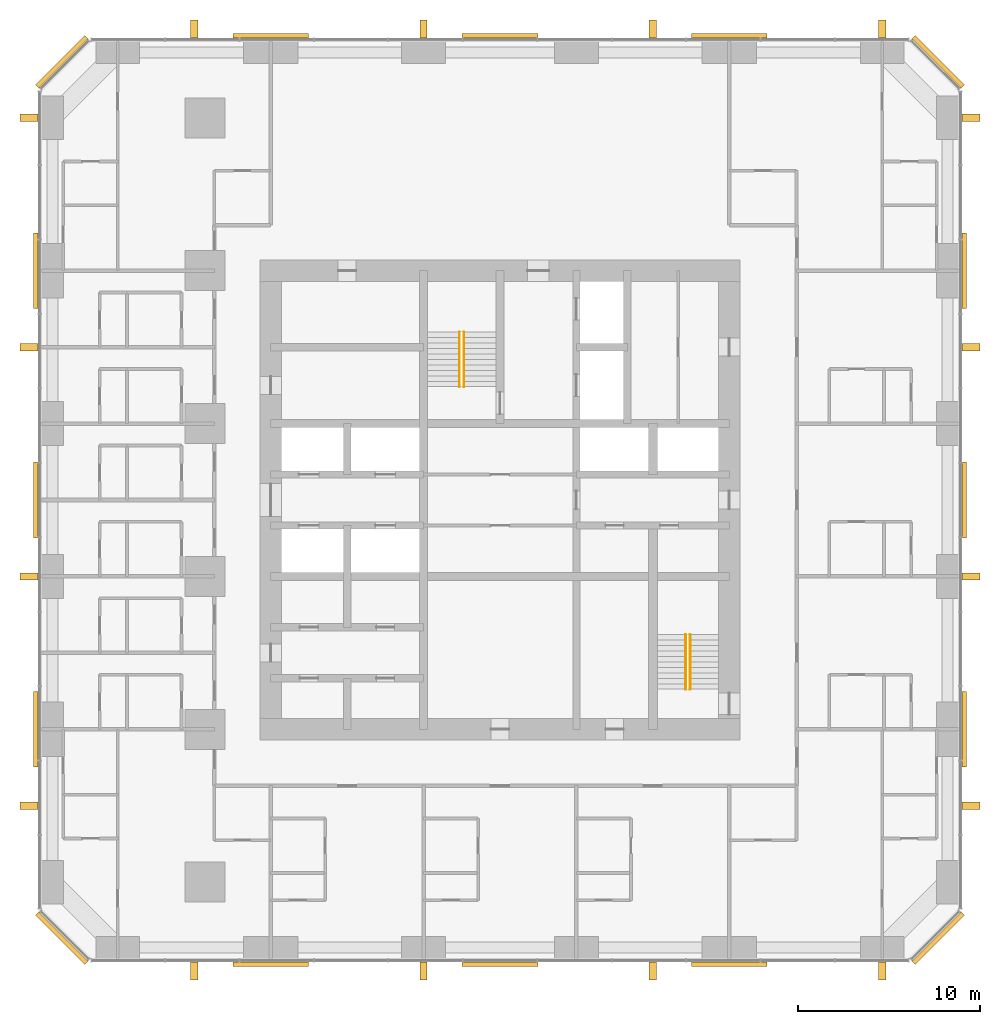
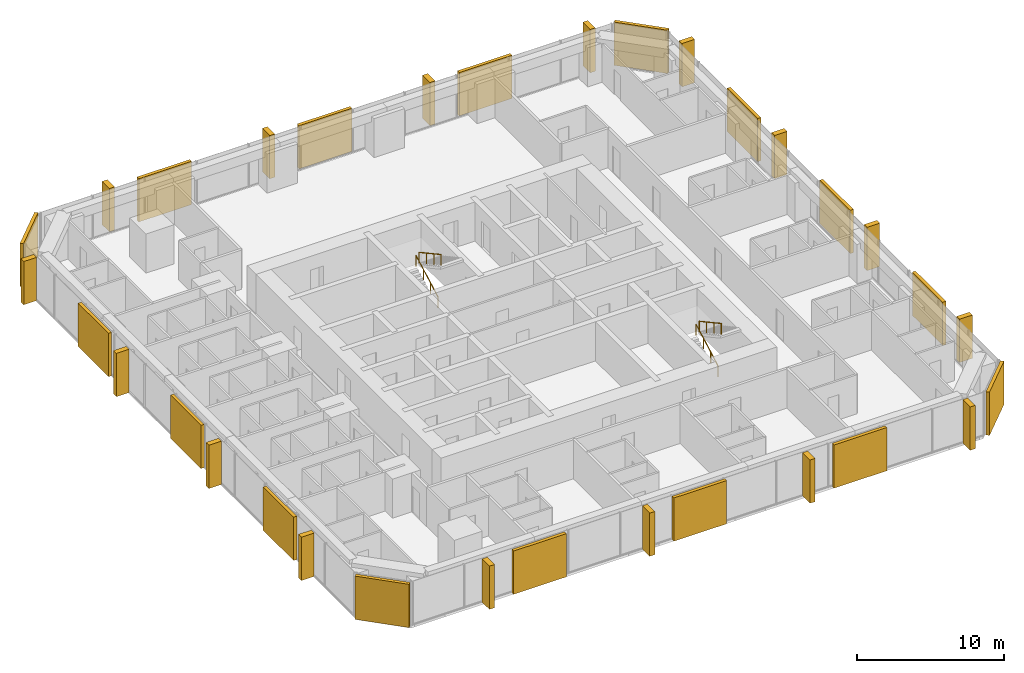
# One storey, part 13 of 13: 16 coverings, 16 shading devices, 4 railings.
"""IFC4 building model written with IfcOpenShell, lengths in metres."""

from ifc_helpers import new_model, si_unit, direction, frame, origin, origin_2d, place, context, subcontext, project, spatial, rectangle, circle, extrude, material, layer, layer_set, type_object, element, save


model = new_model("IFC4")

# Units and contexts
model_context = context("Model", 3, precision=1e-05, world=origin(), true_north=direction((0.0, 1.0)))
body_context = subcontext(model_context, "Body", "Model", "MODEL_VIEW")
ifc_project = project(units=[si_unit("LENGTHUNIT", "METRE"), si_unit("AREAUNIT", "SQUARE_METRE"), si_unit("VOLUMEUNIT", "CUBIC_METRE"), si_unit("PLANEANGLEUNIT", "RADIAN"), si_unit("MASSUNIT", "GRAM", prefix="KILO")], contexts=[model_context])

# Site, building, storey
site_placement = place(None, origin())
site = spatial("IfcSite", under=ifc_project, at=site_placement, CompositionType="ELEMENT")
building_placement = place(site_placement, origin())
building = spatial("IfcBuilding", under=site, at=building_placement, Name="Dunama Terrace Hotel", CompositionType="ELEMENT")
storey_placement = place(building_placement, frame((0.0, 0.0, 162.60009765625)))
storey = spatial("IfcBuildingStorey", under=building, at=storey_placement, Name="L41", CompositionType="ELEMENT", Elevation=162.60009765625)

# Railings
ifc_material_1 = material(Name="Stainless steel handrail", Category="steel")
railing_type = type_object("IfcRailingType", Name="Stair handrail 900", PredefinedType="HANDRAIL", material=ifc_material_1)
railing_1_placement = place(storey_placement, frame((27.175048828125, 35.625, 0.16357421875)))
element("IfcRailing", 1, at=railing_1_placement, inside=storey, type_object=railing_type, Name="Handrail ST1 L41", PredefinedType="HANDRAIL", context=body_context, shape_type="SweptSolid", body=[
    extrude(circle(Radius=0.02392578125, at=origin_2d()), frame((0.0, 0.0, 0.8759765625), z_axis=(0.0, 0.877911954615, 0.47882209634), x_axis=(-1.0, 0.0, 0.0)), (0.0, 0.0, 1.0), 3.417236328125),
    extrude(circle(Radius=0.02099609375, at=origin_2d()), origin(), (0.0, 0.0, 1.0), 0.851806640625),
    extrude(circle(Radius=0.02099609375, at=origin_2d()), frame((0.0, 1.0, 0.54541015625)), (0.0, 0.0, 1.0), 0.851806640625),
    extrude(circle(Radius=0.02099609375, at=origin_2d()), frame((0.0, 2.0, 1.0908203125)), (0.0, 0.0, 1.0), 0.851806640625),
    extrude(circle(Radius=0.02099609375, at=origin_2d()), frame((0.0, 3.0, 1.63623046875)), (0.0, 0.0, 1.0), 0.851806640625),
])
railing_2_placement = place(storey_placement, frame((27.425048828125, 38.625, 1.963623046875)))
element("IfcRailing", 2, at=railing_2_placement, inside=storey, type_object=railing_type, Name="Handrail ST1 L41", PredefinedType="HANDRAIL", context=body_context, shape_type="SweptSolid", body=[
    extrude(circle(Radius=0.02392578125, at=origin_2d()), frame((0.0, 0.0, 0.8759765625), z_axis=(0.0, -0.877911954615, 0.47882209634), x_axis=(1.0, 0.0, 0.0)), (0.0, 0.0, 1.0), 3.417236328125),
    extrude(circle(Radius=0.02099609375, at=origin_2d()), origin(), (0.0, 0.0, 1.0), 0.851806640625),
    extrude(circle(Radius=0.02099609375, at=origin_2d()), frame((0.0, -1.0, 0.54541015625)), (0.0, 0.0, 1.0), 0.851806640625),
    extrude(circle(Radius=0.02099609375, at=origin_2d()), frame((0.0, -2.0, 1.0908203125)), (0.0, 0.0, 1.0), 0.851806640625),
    extrude(circle(Radius=0.02099609375, at=origin_2d()), frame((0.0, -3.0, 1.63623046875)), (0.0, 0.0, 1.0), 0.851806640625),
])
railing_3_placement = place(storey_placement, frame((39.60009765625, 19.0, 0.16357421875)))
element("IfcRailing", 3, at=railing_3_placement, inside=storey, type_object=railing_type, Name="Handrail ST2 L41", PredefinedType="HANDRAIL", context=body_context, shape_type="SweptSolid", body=[
    extrude(circle(Radius=0.02392578125, at=origin_2d()), frame((0.0, 0.0, 0.8759765625), z_axis=(0.0, 0.877911954615, 0.47882209634), x_axis=(-1.0, 0.0, 0.0)), (0.0, 0.0, 1.0), 3.417236328125),
    extrude(circle(Radius=0.02099609375, at=origin_2d()), origin(), (0.0, 0.0, 1.0), 0.851806640625),
    extrude(circle(Radius=0.02099609375, at=origin_2d()), frame((0.0, 1.0, 0.54541015625)), (0.0, 0.0, 1.0), 0.851806640625),
    extrude(circle(Radius=0.02099609375, at=origin_2d()), frame((0.0, 2.0, 1.0908203125)), (0.0, 0.0, 1.0), 0.851806640625),
    extrude(circle(Radius=0.02099609375, at=origin_2d()), frame((0.0, 3.0, 1.63623046875)), (0.0, 0.0, 1.0), 0.851806640625),
])
railing_4_placement = place(storey_placement, frame((39.85009765625, 22.0, 1.963623046875)))
element("IfcRailing", 4, at=railing_4_placement, inside=storey, type_object=railing_type, Name="Handrail ST2 L41", PredefinedType="HANDRAIL", context=body_context, shape_type="SweptSolid", body=[
    extrude(circle(Radius=0.02392578125, at=origin_2d()), frame((0.0, 0.0, 0.8759765625), z_axis=(0.0, -0.877911954615, 0.47882209634), x_axis=(1.0, 0.0, 0.0)), (0.0, 0.0, 1.0), 3.417236328125),
    extrude(circle(Radius=0.02099609375, at=origin_2d()), origin(), (0.0, 0.0, 1.0), 0.851806640625),
    extrude(circle(Radius=0.02099609375, at=origin_2d()), frame((0.0, -1.0, 0.54541015625)), (0.0, 0.0, 1.0), 0.851806640625),
    extrude(circle(Radius=0.02099609375, at=origin_2d()), frame((0.0, -2.0, 1.0908203125)), (0.0, 0.0, 1.0), 0.851806640625),
    extrude(circle(Radius=0.02099609375, at=origin_2d()), frame((0.0, -3.0, 1.63623046875)), (0.0, 0.0, 1.0), 0.851806640625),
])

# Coverings
ifc_material_2 = material(Name="Warm reconstituted stone panel", Category="masonry")
ifc_layer_1 = layer(ifc_material_2, 0.25)
ifc_layer_set_1 = layer_set([ifc_layer_1], Name="Stone diagonal panel")
covering_type = type_object("IfcCoveringType", Name="Stone diagonal panel", PredefinedType="CLADDING", material=ifc_layer_set_1)
for number, where, z_axis, x_axis, name in (
    (5, (16.800048828125, 3.876953125, 0.001953125), (0.0, 0.0, 1.0), (1.0, 0.0, 0.0), "Stone diagonal panel L41"),
    (6, (29.39990234375, 3.876953125, 0.001953125), (0.0, 0.0, 1.0), (1.0, 0.0, 0.0), "Stone diagonal panel L41"),
    (7, (42.0, 3.876953125, 0.001953125), (0.0, 0.0, 1.0), (1.0, 0.0, 0.0), "Stone diagonal panel L41"),
):
    element("IfcCovering", number, at=place(storey_placement, frame(where, z_axis=z_axis, x_axis=x_axis)), inside=storey, type_object=covering_type, Name=name, PredefinedType="CLADDING", context=body_context, shape_type="SweptSolid", body=[
        extrude(rectangle(XDim=4.14990234375, YDim=0.25, at=origin_2d()), origin(), (0.0, 0.0, 1.0), 3.595947265625),
    ])
covering_1_placement = place(storey_placement, frame((53.47900390625, 5.321044921875, 0.001953125), z_axis=(0.0, 0.0, 1.0), x_axis=(0.707106781187, 0.707106781187, 0.0)))
element("IfcCovering", 8, at=covering_1_placement, inside=storey, type_object=covering_type, Name="Stone diagonal panel L41", PredefinedType="CLADDING", context=body_context, shape_type="SweptSolid", body=[
    extrude(rectangle(XDim=3.808349609375, YDim=0.25, at=origin_2d()), origin(), (0.0, 0.0, 1.0), 3.595947265625),
])
for number, where, z_axis, x_axis, name in (
    (9, (54.923095703125, 16.800048828125, 0.001953125), (0.0, 0.0, 1.0), (0.0, 1.0, 0.0), "Stone diagonal panel L41"),
    (10, (54.923095703125, 29.39990234375, 0.001953125), (0.0, 0.0, 1.0), (0.0, 1.0, 0.0), "Stone diagonal panel L41"),
    (11, (54.923095703125, 42.0, 0.001953125), (0.0, 0.0, 1.0), (0.0, 1.0, 0.0), "Stone diagonal panel L41"),
):
    element("IfcCovering", number, at=place(storey_placement, frame(where, z_axis=z_axis, x_axis=x_axis)), inside=storey, type_object=covering_type, Name=name, PredefinedType="CLADDING", context=body_context, shape_type="SweptSolid", body=[
        extrude(rectangle(XDim=4.14990234375, YDim=0.25, at=origin_2d()), origin(), (0.0, 0.0, 1.0), 3.595947265625),
    ])
covering_2_placement = place(storey_placement, frame((53.47900390625, 53.47900390625, 0.001953125), z_axis=(0.0, 0.0, 1.0), x_axis=(-0.707106781187, 0.707106781187, 0.0)))
element("IfcCovering", 12, at=covering_2_placement, inside=storey, type_object=covering_type, Name="Stone diagonal panel L41", PredefinedType="CLADDING", context=body_context, shape_type="SweptSolid", body=[
    extrude(rectangle(XDim=3.808349609375, YDim=0.25, at=origin_2d()), origin(), (0.0, 0.0, 1.0), 3.595947265625),
])
for number, where, z_axis, x_axis, name in (
    (13, (42.0, 54.923095703125, 0.001953125), (0.0, 0.0, 1.0), (-1.0, 0.0, 0.0), "Stone diagonal panel L41"),
    (14, (29.39990234375, 54.923095703125, 0.001953125), (0.0, 0.0, 1.0), (-1.0, 0.0, 0.0), "Stone diagonal panel L41"),
    (15, (16.800048828125, 54.923095703125, 0.001953125), (0.0, 0.0, 1.0), (-1.0, 0.0, 0.0), "Stone diagonal panel L41"),
):
    element("IfcCovering", number, at=place(storey_placement, frame(where, z_axis=z_axis, x_axis=x_axis)), inside=storey, type_object=covering_type, Name=name, PredefinedType="CLADDING", context=body_context, shape_type="SweptSolid", body=[
        extrude(rectangle(XDim=4.14990234375, YDim=0.25, at=origin_2d()), origin(), (0.0, 0.0, 1.0), 3.595947265625),
    ])
covering_3_placement = place(storey_placement, frame((5.321044921875, 53.47900390625, 0.001953125), z_axis=(0.0, 0.0, 1.0), x_axis=(-0.707106781187, -0.707106781187, 0.0)))
element("IfcCovering", 16, at=covering_3_placement, inside=storey, type_object=covering_type, Name="Stone diagonal panel L41", PredefinedType="CLADDING", context=body_context, shape_type="SweptSolid", body=[
    extrude(rectangle(XDim=3.808349609375, YDim=0.25, at=origin_2d()), origin(), (0.0, 0.0, 1.0), 3.595947265625),
])
for number, where, z_axis, x_axis, name in (
    (17, (3.876953125, 42.0, 0.001953125), (0.0, 0.0, 1.0), (0.0, -1.0, 0.0), "Stone diagonal panel L41"),
    (18, (3.876953125, 29.39990234375, 0.001953125), (0.0, 0.0, 1.0), (0.0, -1.0, 0.0), "Stone diagonal panel L41"),
    (19, (3.876953125, 16.800048828125, 0.001953125), (0.0, 0.0, 1.0), (0.0, -1.0, 0.0), "Stone diagonal panel L41"),
):
    element("IfcCovering", number, at=place(storey_placement, frame(where, z_axis=z_axis, x_axis=x_axis)), inside=storey, type_object=covering_type, Name=name, PredefinedType="CLADDING", context=body_context, shape_type="SweptSolid", body=[
        extrude(rectangle(XDim=4.14990234375, YDim=0.25, at=origin_2d()), origin(), (0.0, 0.0, 1.0), 3.595947265625),
    ])
covering_4_placement = place(storey_placement, frame((5.321044921875, 5.321044921875, 0.001953125), z_axis=(0.0, 0.0, 1.0), x_axis=(0.707106781187, -0.707106781187, 0.0)))
element("IfcCovering", 20, at=covering_4_placement, inside=storey, type_object=covering_type, Name="Stone diagonal panel L41", PredefinedType="CLADDING", context=body_context, shape_type="SweptSolid", body=[
    extrude(rectangle(XDim=3.808349609375, YDim=0.25, at=origin_2d()), origin(), (0.0, 0.0, 1.0), 3.595947265625),
])

# Shading devices
ifc_material_3 = material(Name="Warm reconstituted stone fin", Category="masonry")
ifc_layer_2 = layer(ifc_material_3, 0.39990234375)
ifc_layer_set_2 = layer_set([ifc_layer_2], Name="Warm stone fin 400x1000")
shading_device_type = type_object("IfcShadingDeviceType", Name="Warm stone fin 400x1000", PredefinedType="USERDEFINED", material=ifc_layer_set_2)
for number, where, z_axis, x_axis, name in (
    (21, (12.60009765625, 3.52197265625, -0.000244140625), (0.0, 0.0, 1.0), (1.0, 0.0, 0.0), "Stone fin"),
    (22, (25.199951171875, 3.52197265625, -0.000244140625), (0.0, 0.0, 1.0), (1.0, 0.0, 0.0), "Stone fin"),
    (23, (37.800048828125, 3.52197265625, -0.000244140625), (0.0, 0.0, 1.0), (1.0, 0.0, 0.0), "Stone fin"),
    (24, (50.39990234375, 3.52197265625, -0.000244140625), (0.0, 0.0, 1.0), (1.0, 0.0, 0.0), "Stone fin"),
    (25, (55.278076171875, 12.60009765625, -0.000244140625), (0.0, 0.0, 1.0), (0.0, 1.0, 0.0), "Stone fin"),
    (26, (55.278076171875, 25.199951171875, -0.000244140625), (0.0, 0.0, 1.0), (0.0, 1.0, 0.0), "Stone fin"),
    (27, (55.278076171875, 37.800048828125, -0.000244140625), (0.0, 0.0, 1.0), (0.0, 1.0, 0.0), "Stone fin"),
    (28, (55.278076171875, 50.39990234375, -0.000244140625), (0.0, 0.0, 1.0), (0.0, 1.0, 0.0), "Stone fin"),
    (29, (50.39990234375, 55.278076171875, -0.000244140625), (0.0, 0.0, 1.0), (-1.0, 0.0, 0.0), "Stone fin"),
    (30, (37.800048828125, 55.278076171875, -0.000244140625), (0.0, 0.0, 1.0), (-1.0, 0.0, 0.0), "Stone fin"),
    (31, (25.199951171875, 55.278076171875, -0.000244140625), (0.0, 0.0, 1.0), (-1.0, 0.0, 0.0), "Stone fin"),
    (32, (12.60009765625, 55.278076171875, -0.000244140625), (0.0, 0.0, 1.0), (-1.0, 0.0, 0.0), "Stone fin"),
    (33, (3.52197265625, 50.39990234375, -0.000244140625), (0.0, 0.0, 1.0), (0.0, -1.0, 0.0), "Stone fin"),
    (34, (3.52197265625, 37.800048828125, -0.000244140625), (0.0, 0.0, 1.0), (0.0, -1.0, 0.0), "Stone fin"),
    (35, (3.52197265625, 25.199951171875, -0.000244140625), (0.0, 0.0, 1.0), (0.0, -1.0, 0.0), "Stone fin"),
    (36, (3.52197265625, 12.60009765625, -0.000244140625), (0.0, 0.0, 1.0), (0.0, -1.0, 0.0), "Stone fin"),
):
    element("IfcShadingDevice", number, at=place(storey_placement, frame(where, z_axis=z_axis, x_axis=x_axis)), inside=storey, type_object=shading_device_type, Name=name, ObjectType="FIN", PredefinedType="USERDEFINED", context=body_context, shape_type="SweptSolid", body=[
        extrude(rectangle(XDim=0.39990234375, YDim=1.0, at=origin_2d()), origin(), (0.0, 0.0, 1.0), 3.60009765625),
    ])

save(model, "model.ifc")
